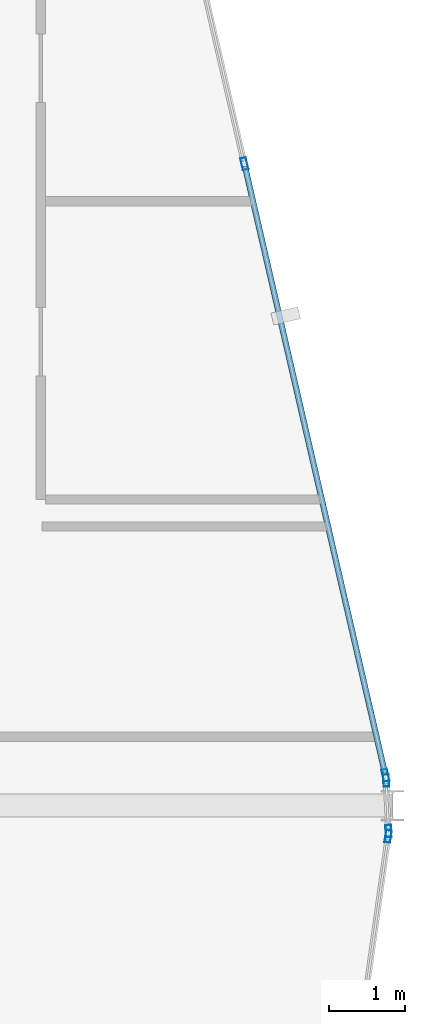
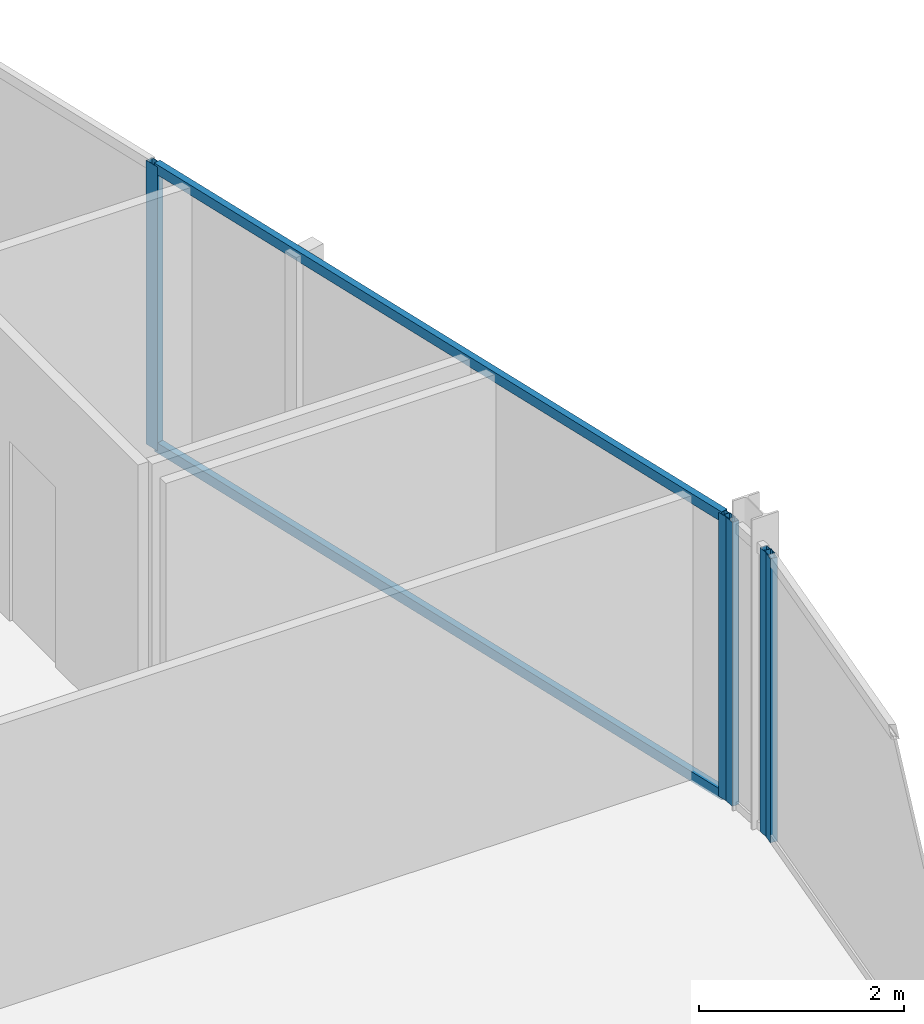
# One storey, part 14 of 28: 7 members, 3 elements without a shape of their own.
"""IFC4 building model written with IfcOpenShell, lengths in metres."""

from ifc_helpers import new_model, si_unit, direction, frame, origin, origin_2d, place, context, subcontext, project, spatial, hollow_rectangle, extrude, material, layer, layer_set, material_profile, profile_set, type_object, element, aggregate, save


model = new_model("IFC4")

# Units and contexts
model_context = context("Model", 3, precision=1e-05, world=origin(), true_north=direction((0.0, 1.0)))
body_context = subcontext(model_context, "Body", "Model", "MODEL_VIEW")
ifc_project = project(units=[si_unit("LENGTHUNIT", "METRE"), si_unit("AREAUNIT", "SQUARE_METRE"), si_unit("VOLUMEUNIT", "CUBIC_METRE"), si_unit("PLANEANGLEUNIT", "RADIAN"), si_unit("MASSUNIT", "GRAM", prefix="KILO")], contexts=[model_context])

# Site, building, storey
site_placement = place(None, origin())
site = spatial("IfcSite", under=ifc_project, at=site_placement, CompositionType="ELEMENT")
building_placement = place(site_placement, origin())
building = spatial("IfcBuilding", under=site, at=building_placement, Name="Keshet Zoharim Tower", CompositionType="ELEMENT")
storey_placement = place(building_placement, frame((0.0, 0.0, 303.60009765625)))
storey = spatial("IfcBuildingStorey", under=building, at=storey_placement, Name="L76", CompositionType="ELEMENT", Elevation=303.60009765625)

# Curtain wall, members
ifc_material = material(Name="Aluminium 6063-T6", Category="aluminium")
ifc_layer = layer(ifc_material, 0.260009765625)
ifc_layer_set = layer_set([ifc_layer], Name="Aluminium 6063-T6")
curtain_wall_type = type_object("IfcCurtainWallType", Name="CW-SYS-06", PredefinedType="NOTDEFINED", material=ifc_layer_set)
curtain_wall_1_placement = place(storey_placement, origin())
curtain_wall_1 = element("IfcCurtainWall", 1, at=curtain_wall_1_placement, inside=storey, type_object=curtain_wall_type, Name="L76 Unitised Curtain Wall 09", PredefinedType="NOTDEFINED")
ifc_material_profile_1 = material_profile(ifc_material, hollow_rectangle(XDim=0.074951171875, YDim=0.159912109375, WallThickness=0.00390625, at=origin_2d()), Name="MUL-75x160")
ifc_profile_set_1 = profile_set([ifc_material_profile_1], Name="Aluminium 6063-T6")
member_type_1 = type_object("IfcMemberType", Name="CWM-M15", PredefinedType="MULLION", material=ifc_profile_set_1)
member_1_placement = place(storey_placement, frame((43.063232421875, 36.291259765625, 0.0), z_axis=(0.0, 0.0, 1.0), x_axis=(0.974398012932, 0.224829963294, 0.0)))
member_1 = element("IfcMember", 2, at=member_1_placement, type_object=member_type_1, Name="CW-06 mullion 3", PredefinedType="MULLION", context=body_context, shape_type="SweptSolid", body=[
    extrude(hollow_rectangle(XDim=0.074951171875, YDim=0.159912109375, WallThickness=0.00390625, at=origin_2d()), origin(), (0.0, 0.0, 1.0), 3.389892578125),
])
member_2_placement = place(storey_placement, frame((44.908203125, 28.296142578125, 0.0), z_axis=(0.0, 0.0, 1.0), x_axis=(0.974398012932, 0.224829963294, 0.0)))
member_2 = element("IfcMember", 3, at=member_2_placement, type_object=member_type_1, Name="CW-06 mullion 4", PredefinedType="MULLION", context=body_context, shape_type="SweptSolid", body=[
    extrude(hollow_rectangle(XDim=0.074951171875, YDim=0.159912109375, WallThickness=0.00390625, at=origin_2d()), origin(), (0.0, 0.0, 1.0), 3.389892578125),
])

curtain_wall_2_placement = place(storey_placement, origin())
curtain_wall_2 = element("IfcCurtainWall", 4, at=curtain_wall_2_placement, inside=storey, type_object=curtain_wall_type, Name="L76 Unitised Curtain Wall 10", PredefinedType="NOTDEFINED")
member_3_placement = place(storey_placement, frame((44.91748046875, 28.22705078125, 0.0), z_axis=(0.0, 0.0, 1.0), x_axis=(0.999040601801, 0.043793560626, 0.0)))
member_3 = element("IfcMember", 5, at=member_3_placement, type_object=member_type_1, Name="CW-06 mullion 1", PredefinedType="MULLION", context=body_context, shape_type="SweptSolid", body=[
    extrude(hollow_rectangle(XDim=0.074951171875, YDim=0.159912109375, WallThickness=0.00390625, at=origin_2d()), origin(), (0.0, 0.0, 1.0), 3.389892578125),
])
member_4_placement = place(storey_placement, frame((44.946533203125, 27.56689453125, 0.0), z_axis=(0.0, 0.0, 1.0), x_axis=(0.999040601801, 0.043793560626, 0.0)))
member_4 = element("IfcMember", 6, at=member_4_placement, type_object=member_type_1, Name="CW-06 mullion 2", PredefinedType="MULLION", context=body_context, shape_type="SweptSolid", body=[
    extrude(hollow_rectangle(XDim=0.074951171875, YDim=0.159912109375, WallThickness=0.00390625, at=origin_2d()), origin(), (0.0, 0.0, 1.0), 3.389892578125),
])
aggregate(curtain_wall_2, [member_3, member_4])

# Curtain wall, member
curtain_wall_3_placement = place(storey_placement, origin())
curtain_wall_3 = element("IfcCurtainWall", 7, at=curtain_wall_3_placement, inside=storey, type_object=curtain_wall_type, Name="L76 Unitised Curtain Wall 11", PredefinedType="NOTDEFINED")
member_5_placement = place(storey_placement, frame((44.943115234375, 27.497314453125, 0.0), z_axis=(0.0, 0.0, 1.0), x_axis=(0.990132057422, -0.140137464177, 0.0)))
member_5 = element("IfcMember", 8, at=member_5_placement, type_object=member_type_1, Name="CW-06 mullion 1", PredefinedType="MULLION", context=body_context, shape_type="SweptSolid", body=[
    extrude(hollow_rectangle(XDim=0.074951171875, YDim=0.159912109375, WallThickness=0.00390625, at=origin_2d()), origin(), (0.0, 0.0, 1.0), 3.389892578125),
])
aggregate(curtain_wall_3, [member_5])

# Member
ifc_material_profile_2 = material_profile(ifc_material, hollow_rectangle(XDim=0.074951171875, YDim=0.1201171875, WallThickness=0.00390625, at=origin_2d()), Name="TRN-75x120")
ifc_profile_set_2 = profile_set([ifc_material_profile_2], Name="Aluminium 6063-T6")
member_type_2 = type_object("IfcMemberType", Name="CWT-T12", PredefinedType="USERDEFINED", material=ifc_profile_set_2)
member_6_placement = place(storey_placement, frame((43.0712890625, 36.25732421875, 0.034912109375), z_axis=(0.224806904107, -0.974403333259, 0.0), x_axis=(0.974403333259, 0.224806904107, 0.0)))
member_6 = element("IfcMember", 9, at=member_6_placement, type_object=member_type_2, Name="CW-06 transom 3.1", ObjectType="TRANSOM", PredefinedType="USERDEFINED", context=body_context, shape_type="SweptSolid", body=[
    extrude(hollow_rectangle(XDim=0.074951171875, YDim=0.1201171875, WallThickness=0.00390625, at=origin_2d()), origin(), (0.0, 0.0, 1.0), 8.13525390625),
])

member_7_placement = place(storey_placement, frame((43.0712890625, 36.25732421875, 3.35498046875), z_axis=(0.224806904107, -0.974403333259, 0.0), x_axis=(0.974403333259, 0.224806904107, 0.0)))
member_7 = element("IfcMember", 10, at=member_7_placement, type_object=member_type_2, Name="CW-06 transom 3.2", ObjectType="TRANSOM", PredefinedType="USERDEFINED", context=body_context, shape_type="SweptSolid", body=[
    extrude(hollow_rectangle(XDim=0.074951171875, YDim=0.1201171875, WallThickness=0.00390625, at=origin_2d()), origin(), (0.0, 0.0, 1.0), 8.13525390625),
])

aggregate(curtain_wall_1, [member_1, member_2, member_6, member_7])

save(model, "model.ifc")
